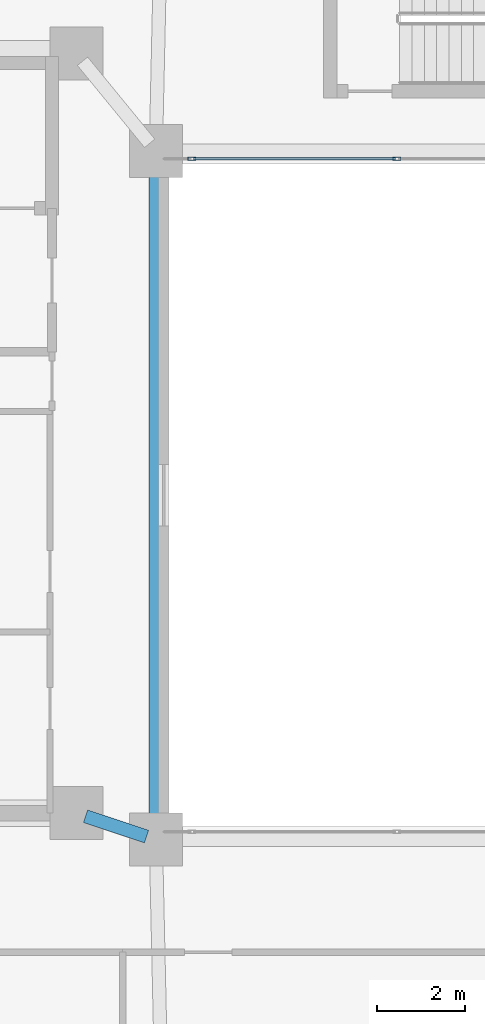
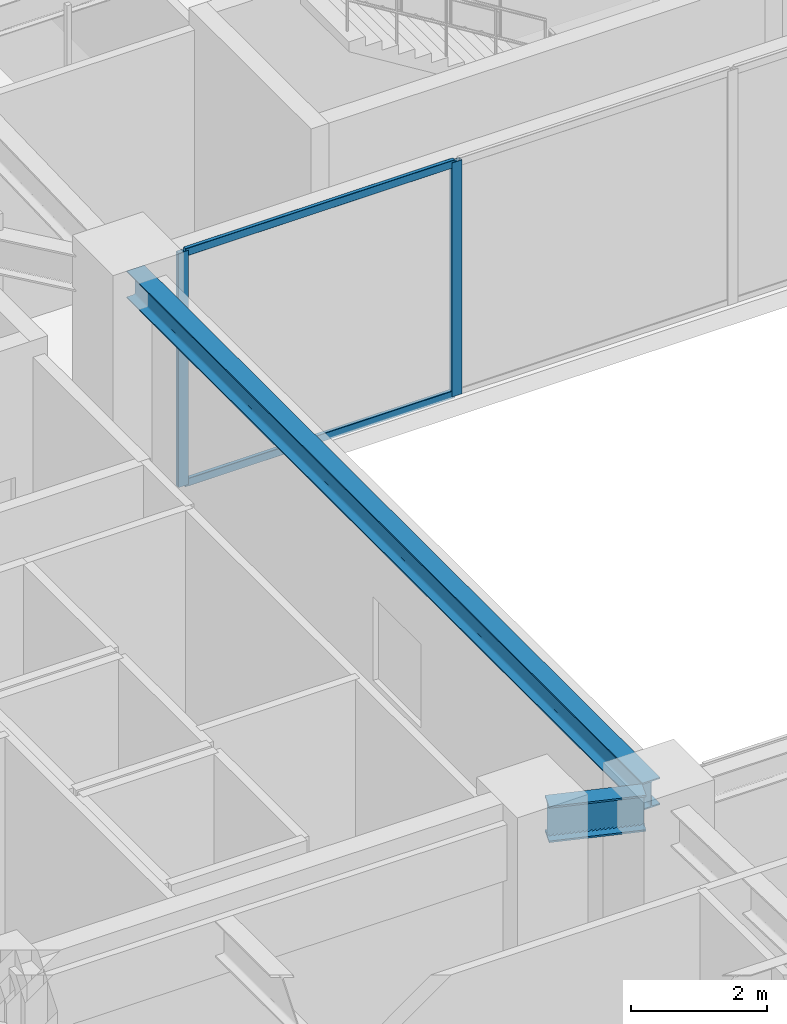
# One storey, part 11 of 38: 4 members, 2 beams, 1 element without a shape of its own.
"""IFC4 building model written with IfcOpenShell, lengths in metres."""

from ifc_helpers import new_model, si_unit, direction, frame, origin, origin_2d, place, context, subcontext, project, spatial, hollow_rectangle, i_section, extrude, material, layer, layer_set, material_profile, profile_set, type_object, element, aggregate, save


model = new_model("IFC4")

# Units and contexts
model_context = context("Model", 3, precision=1e-05, world=origin(), true_north=direction((0.0, 1.0)))
body_context = subcontext(model_context, "Body", "Model", "MODEL_VIEW")
ifc_project = project(units=[si_unit("LENGTHUNIT", "METRE"), si_unit("AREAUNIT", "SQUARE_METRE"), si_unit("VOLUMEUNIT", "CUBIC_METRE"), si_unit("PLANEANGLEUNIT", "RADIAN"), si_unit("MASSUNIT", "GRAM", prefix="KILO")], contexts=[model_context])

# Site, building, storey
site_placement = place(None, origin())
site = spatial("IfcSite", under=ifc_project, at=site_placement, CompositionType="ELEMENT")
building_placement = place(site_placement, origin())
building = spatial("IfcBuilding", under=site, at=building_placement, Name="Tarnavaz Court Tower", CompositionType="ELEMENT")
storey_placement = place(building_placement, frame((0.0, 0.0, 123.0)))
storey = spatial("IfcBuildingStorey", under=building, at=storey_placement, Name="L33", CompositionType="ELEMENT", Elevation=123.0)

# Beams
ifc_material_1 = material(Name="Steel S355", Category="steel")
ifc_material_profile_1 = material_profile(ifc_material_1, i_section(OverallWidth=0.300048828125, OverallDepth=0.64990234375, WebThickness=0.01611328125, FlangeThickness=0.031005859375, FilletRadius=0.027099609375, at=origin_2d()), Name="HEB 650")
ifc_profile_set_1 = profile_set([ifc_material_profile_1], Name="Steel S355")
beam_type_1 = type_object("IfcBeamType", Name="BM-G-HEB650", PredefinedType="USERDEFINED", material=ifc_profile_set_1)
beam_1_placement = place(storey_placement, frame((-9.391357421875, -7.26953125, 3.875), z_axis=(0.948666544706, -0.316278021615, 0.0), x_axis=(0.316278021615, 0.948666544706, 0.0)))
element("IfcBeam", 1, at=beam_1_placement, inside=storey, type_object=beam_type_1, Name="L33 Beam IN-CW-SI-IW-SW", ObjectType="GIRDER", PredefinedType="USERDEFINED", context=body_context, shape_type="SweptSolid", body=[
    extrude(i_section(OverallWidth=0.300048828125, OverallDepth=0.64990234375, WebThickness=0.01611328125, FlangeThickness=0.031005859375, FilletRadius=0.027099609375, at=origin_2d()), origin(), (0.0, 0.0, 1.0), 1.457275390625),
])
ifc_material_profile_2 = material_profile(ifc_material_1, i_section(OverallWidth=0.300048828125, OverallDepth=0.489990234375, WebThickness=0.011962890625, FlangeThickness=0.02294921875, FilletRadius=0.027099609375, at=origin_2d()), Name="HEA 500")
ifc_profile_set_2 = profile_set([ifc_material_profile_2], Name="Steel S355")
beam_type_2 = type_object("IfcBeamType", Name="BM-SP-HEA500", PredefinedType="SPANDREL", material=ifc_profile_set_2)
beam_2_placement = place(storey_placement, frame((-7.800048828125, -7.580078125, 3.955078125), z_axis=(0.0, 1.0, 0.0), x_axis=(-1.0, 0.0, 0.0)))
element("IfcBeam", 2, at=beam_2_placement, inside=storey, type_object=beam_type_2, Name="L33 Beam IN-IW-SW-IW-NW", PredefinedType="SPANDREL", context=body_context, shape_type="SweptSolid", body=[
    extrude(i_section(OverallWidth=0.300048828125, OverallDepth=0.489990234375, WebThickness=0.011962890625, FlangeThickness=0.02294921875, FilletRadius=0.027099609375, at=origin_2d()), origin(), (0.0, 0.0, 1.0), 15.16015625),
])

# Curtain wall, members
ifc_material_2 = material(Name="Anodised Aluminium 6063-T6 and Solar Low-E Glazing", Category="aluminium")
ifc_layer = layer(ifc_material_2, 0.139892578125)
ifc_layer_set = layer_set([ifc_layer], Name="Anodised Aluminium 6063-T6 and Solar Low-E Glazing")
curtain_wall_type = type_object("IfcCurtainWallType", Name="CW-SYS-04", PredefinedType="NOTDEFINED", material=ifc_layer_set)
curtain_wall_placement = place(storey_placement, origin())
curtain_wall = element("IfcCurtainWall", 3, at=curtain_wall_placement, inside=storey, type_object=curtain_wall_type, Name="L33 Badgir Courtyard Curtain Wall N", PredefinedType="NOTDEFINED")
ifc_material_3 = material(Name="Anodised Aluminium 6063-T6", Category="aluminium")
ifc_material_profile_3 = material_profile(ifc_material_3, hollow_rectangle(XDim=0.074951171875, YDim=0.179931640625, WallThickness=0.0048828125, InnerFilletRadius=0.0048828125, OuterFilletRadius=0.010009765625, at=origin_2d()), Name="ALU RHS 180X75X5")
ifc_profile_set_3 = profile_set([ifc_material_profile_3], Name="Anodised Aluminium 6063-T6")
member_type_1 = type_object("IfcMemberType", Name="CW-MUL-180", PredefinedType="MULLION", material=ifc_profile_set_3)
member_1_placement = place(storey_placement, frame((-2.340087890625, 7.6201171875, 0.0), z_axis=(0.0, 0.0, 1.0), x_axis=(0.0, -1.0, 0.0)))
member_1 = element("IfcMember", 4, at=member_1_placement, type_object=member_type_1, Name="CW mullion 3", PredefinedType="MULLION", context=body_context, shape_type="SweptSolid", body=[
    extrude(hollow_rectangle(XDim=0.074951171875, YDim=0.179931640625, WallThickness=0.0048828125, InnerFilletRadius=0.0048828125, OuterFilletRadius=0.010009765625, at=origin_2d()), origin(), (0.0, 0.0, 1.0), 4.199951171875),
])
member_2_placement = place(storey_placement, frame((-6.982421875, 7.6201171875, 0.0), z_axis=(0.0, 0.0, 1.0), x_axis=(0.0, -1.0, 0.0)))
member_2 = element("IfcMember", 5, at=member_2_placement, type_object=member_type_1, Name="CW mullion 4", PredefinedType="MULLION", context=body_context, shape_type="SweptSolid", body=[
    extrude(hollow_rectangle(XDim=0.074951171875, YDim=0.179931640625, WallThickness=0.0048828125, InnerFilletRadius=0.0048828125, OuterFilletRadius=0.010009765625, at=origin_2d()), origin(), (0.0, 0.0, 1.0), 4.199951171875),
])
ifc_material_profile_4 = material_profile(ifc_material_3, hollow_rectangle(XDim=0.06494140625, YDim=0.139892578125, WallThickness=0.00390625, InnerFilletRadius=0.00390625, OuterFilletRadius=0.008056640625, at=origin_2d()), Name="ALU RHS 140X65X4")
ifc_profile_set_4 = profile_set([ifc_material_profile_4], Name="Anodised Aluminium 6063-T6")
member_type_2 = type_object("IfcMemberType", Name="CW-TRN-140", PredefinedType="USERDEFINED", material=ifc_profile_set_4)
member_3_placement = place(storey_placement, frame((-2.37744140625, 7.6201171875, 0.032470703125), z_axis=(-1.0, 0.0, 0.0), x_axis=(0.0, -1.0, 0.0)))
member_3 = element("IfcMember", 6, at=member_3_placement, type_object=member_type_2, Name="CW transom 3.1", ObjectType="TRANSOM", PredefinedType="USERDEFINED", context=body_context, shape_type="SweptSolid", body=[
    extrude(hollow_rectangle(XDim=0.06494140625, YDim=0.139892578125, WallThickness=0.00390625, InnerFilletRadius=0.00390625, OuterFilletRadius=0.008056640625, at=origin_2d()), origin(), (0.0, 0.0, 1.0), 4.567626953125),
])
member_4_placement = place(storey_placement, frame((-2.37744140625, 7.6201171875, 4.16748046875), z_axis=(-1.0, 0.0, 0.0), x_axis=(0.0, -1.0, 0.0)))
member_4 = element("IfcMember", 7, at=member_4_placement, type_object=member_type_2, Name="CW transom 3.2", ObjectType="TRANSOM", PredefinedType="USERDEFINED", context=body_context, shape_type="SweptSolid", body=[
    extrude(hollow_rectangle(XDim=0.06494140625, YDim=0.139892578125, WallThickness=0.00390625, InnerFilletRadius=0.00390625, OuterFilletRadius=0.008056640625, at=origin_2d()), origin(), (0.0, 0.0, 1.0), 4.567626953125),
])
aggregate(curtain_wall, [member_1, member_2, member_3, member_4])

save(model, "model.ifc")
